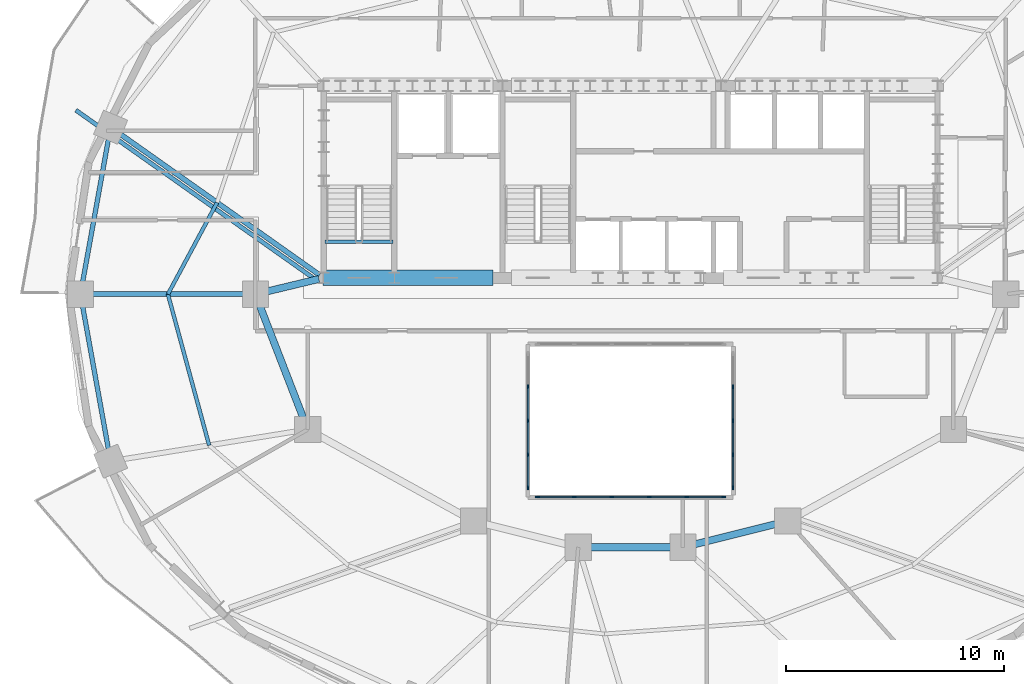
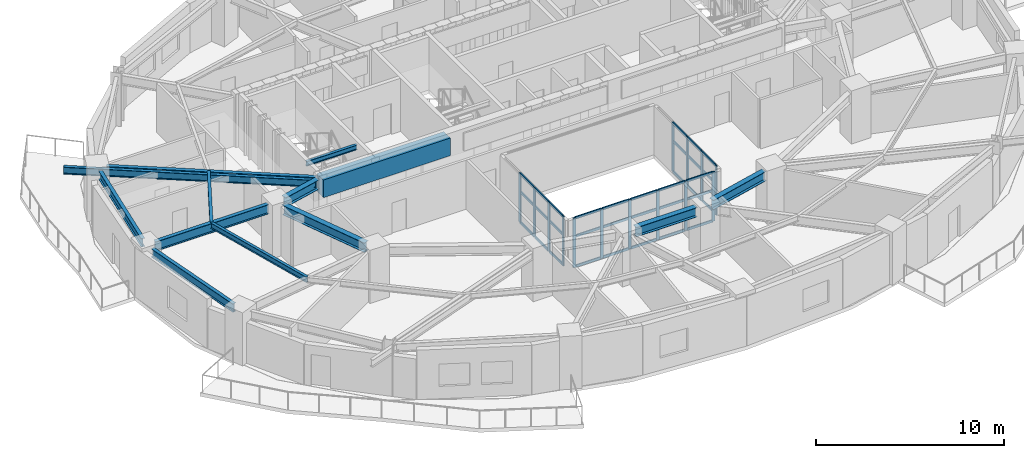
# One storey, part 2 of 13: 47 members, 13 beams, 3 elements without a shape of their own.
"""IFC4 building model written with IfcOpenShell, lengths in metres."""

from ifc_helpers import new_model, si_unit, direction, frame, origin, origin_2d, place, context, subcontext, project, spatial, rectangle, i_section, extrude, material, material_profile, profile_set, type_object, element, aggregate, save


model = new_model("IFC4")

# Units and contexts
model_context = context("Model", 3, precision=1e-05, world=origin(), true_north=direction((0.0, 1.0)))
body_context = subcontext(model_context, "Body", "Model", "MODEL_VIEW")
ifc_project = project(units=[si_unit("LENGTHUNIT", "METRE"), si_unit("AREAUNIT", "SQUARE_METRE"), si_unit("VOLUMEUNIT", "CUBIC_METRE"), si_unit("PLANEANGLEUNIT", "RADIAN"), si_unit("MASSUNIT", "GRAM", prefix="KILO")], contexts=[model_context])

# Site, building, storey
site_placement = place(None, origin())
site = spatial("IfcSite", under=ifc_project, at=site_placement, CompositionType="ELEMENT")
building_placement = place(site_placement, origin())
building = spatial("IfcBuilding", under=site, at=building_placement, Name="Haldorwick Loom Tower", CompositionType="ELEMENT")
storey_placement = place(building_placement, frame((0.0, 0.0, 139.10009765625)))
storey = spatial("IfcBuildingStorey", under=building, at=storey_placement, Name="L37", CompositionType="ELEMENT", Elevation=139.10009765625)

# Curtain wall, members
ifc_material_1 = material(Name="Thermally Broken Anodized Aluminium Curtain Wall Framing", Category="aluminium")
curtain_wall_type = type_object("IfcCurtainWallType", Name="ARC-CW-03", PredefinedType="NOTDEFINED", material=ifc_material_1)
curtain_wall_1_placement = place(storey_placement, origin())
curtain_wall_1 = element("IfcCurtainWall", 1, at=curtain_wall_1_placement, inside=storey, type_object=curtain_wall_type, Name="L37 Atrium Glazed Screen S", PredefinedType="NOTDEFINED")
ifc_material_profile_1 = material_profile(ifc_material_1, rectangle(XDim=0.06591796875, YDim=0.18505859375, at=origin_2d()), Name="ALU_MUL_66X185", Category="aluminium")
ifc_profile_set_1 = profile_set([ifc_material_profile_1], Name="Thermally Broken Anodized Aluminium Curtain Wall Framing")
member_type_1 = type_object("IfcMemberType", Name="ARC-CWM-03", PredefinedType="MULLION", material=ifc_profile_set_1)
member_1_placement = place(storey_placement, frame((40.26708984375, 16.699951171875, 0.0), z_axis=(0.0, 0.0, 1.0), x_axis=(0.0, -1.0, 0.0)))
member_1 = element("IfcMember", 2, at=member_1_placement, type_object=member_type_1, Name="CW-03 mullion 1", PredefinedType="MULLION", context=body_context, shape_type="SweptSolid", body=[
    extrude(rectangle(XDim=0.06591796875, YDim=0.18505859375, at=origin_2d()), origin(), (0.0, 0.0, 1.0), 3.2099609375),
])
member_2_placement = place(storey_placement, frame((38.580078125, 16.699951171875, 0.0), z_axis=(0.0, 0.0, 1.0), x_axis=(0.0, -1.0, 0.0)))
member_2 = element("IfcMember", 3, at=member_2_placement, type_object=member_type_1, Name="CW-03 mullion 2", PredefinedType="MULLION", context=body_context, shape_type="SweptSolid", body=[
    extrude(rectangle(XDim=0.06591796875, YDim=0.18505859375, at=origin_2d()), origin(), (0.0, 0.0, 1.0), 3.2099609375),
])
member_3_placement = place(storey_placement, frame((36.860107421875, 16.699951171875, 0.0), z_axis=(0.0, 0.0, 1.0), x_axis=(0.0, -1.0, 0.0)))
member_3 = element("IfcMember", 4, at=member_3_placement, type_object=member_type_1, Name="CW-03 mullion 3", PredefinedType="MULLION", context=body_context, shape_type="SweptSolid", body=[
    extrude(rectangle(XDim=0.06591796875, YDim=0.18505859375, at=origin_2d()), origin(), (0.0, 0.0, 1.0), 3.2099609375),
])
member_4_placement = place(storey_placement, frame((35.139892578125, 16.699951171875, 0.0), z_axis=(0.0, 0.0, 1.0), x_axis=(0.0, -1.0, 0.0)))
member_4 = element("IfcMember", 5, at=member_4_placement, type_object=member_type_1, Name="CW-03 mullion 4", PredefinedType="MULLION", context=body_context, shape_type="SweptSolid", body=[
    extrude(rectangle(XDim=0.06591796875, YDim=0.18505859375, at=origin_2d()), origin(), (0.0, 0.0, 1.0), 3.2099609375),
])
member_5_placement = place(storey_placement, frame((33.419921875, 16.699951171875, 0.0), z_axis=(0.0, 0.0, 1.0), x_axis=(0.0, -1.0, 0.0)))
member_5 = element("IfcMember", 6, at=member_5_placement, type_object=member_type_1, Name="CW-03 mullion 5", PredefinedType="MULLION", context=body_context, shape_type="SweptSolid", body=[
    extrude(rectangle(XDim=0.06591796875, YDim=0.18505859375, at=origin_2d()), origin(), (0.0, 0.0, 1.0), 3.2099609375),
])
member_6_placement = place(storey_placement, frame((31.73291015625, 16.699951171875, 0.0), z_axis=(0.0, 0.0, 1.0), x_axis=(0.0, -1.0, 0.0)))
member_6 = element("IfcMember", 7, at=member_6_placement, type_object=member_type_1, Name="CW-03 mullion 6", PredefinedType="MULLION", context=body_context, shape_type="SweptSolid", body=[
    extrude(rectangle(XDim=0.06591796875, YDim=0.18505859375, at=origin_2d()), origin(), (0.0, 0.0, 1.0), 3.2099609375),
])

curtain_wall_2_placement = place(storey_placement, origin())
curtain_wall_2 = element("IfcCurtainWall", 8, at=curtain_wall_2_placement, inside=storey, type_object=curtain_wall_type, Name="L37 Atrium Glazed Screen W", PredefinedType="NOTDEFINED")
member_7_placement = place(storey_placement, frame((31.300048828125, 17.133056640625, 0.0), z_axis=(0.0, 0.0, 1.0), x_axis=(-1.0, 0.0, 0.0)))
member_7 = element("IfcMember", 9, at=member_7_placement, type_object=member_type_1, Name="CW-03 mullion 1", PredefinedType="MULLION", context=body_context, shape_type="SweptSolid", body=[
    extrude(rectangle(XDim=0.06591796875, YDim=0.18505859375, at=origin_2d()), origin(), (0.0, 0.0, 1.0), 3.2099609375),
])
member_8_placement = place(storey_placement, frame((31.300048828125, 18.64990234375, 0.0), z_axis=(0.0, 0.0, 1.0), x_axis=(-1.0, 0.0, 0.0)))
member_8 = element("IfcMember", 10, at=member_8_placement, type_object=member_type_1, Name="CW-03 mullion 2", PredefinedType="MULLION", context=body_context, shape_type="SweptSolid", body=[
    extrude(rectangle(XDim=0.06591796875, YDim=0.18505859375, at=origin_2d()), origin(), (0.0, 0.0, 1.0), 3.2099609375),
])
member_9_placement = place(storey_placement, frame((31.300048828125, 20.199951171875, 0.0), z_axis=(0.0, 0.0, 1.0), x_axis=(-1.0, 0.0, 0.0)))
member_9 = element("IfcMember", 11, at=member_9_placement, type_object=member_type_1, Name="CW-03 mullion 3", PredefinedType="MULLION", context=body_context, shape_type="SweptSolid", body=[
    extrude(rectangle(XDim=0.06591796875, YDim=0.18505859375, at=origin_2d()), origin(), (0.0, 0.0, 1.0), 3.2099609375),
])
member_10_placement = place(storey_placement, frame((31.300048828125, 21.75, 0.0), z_axis=(0.0, 0.0, 1.0), x_axis=(-1.0, 0.0, 0.0)))
member_10 = element("IfcMember", 12, at=member_10_placement, type_object=member_type_1, Name="CW-03 mullion 4", PredefinedType="MULLION", context=body_context, shape_type="SweptSolid", body=[
    extrude(rectangle(XDim=0.06591796875, YDim=0.18505859375, at=origin_2d()), origin(), (0.0, 0.0, 1.0), 3.2099609375),
])

curtain_wall_3_placement = place(storey_placement, origin())
curtain_wall_3 = element("IfcCurtainWall", 13, at=curtain_wall_3_placement, inside=storey, type_object=curtain_wall_type, Name="L37 Atrium Glazed Screen E", PredefinedType="NOTDEFINED")
member_11_placement = place(storey_placement, frame((40.699951171875, 21.75, 0.0), z_axis=(0.0, 0.0, 1.0), x_axis=(1.0, 0.0, 0.0)))
member_11 = element("IfcMember", 14, at=member_11_placement, type_object=member_type_1, Name="CW-03 mullion 2", PredefinedType="MULLION", context=body_context, shape_type="SweptSolid", body=[
    extrude(rectangle(XDim=0.06591796875, YDim=0.18505859375, at=origin_2d()), origin(), (0.0, 0.0, 1.0), 3.2099609375),
])
member_12_placement = place(storey_placement, frame((40.699951171875, 20.199951171875, 0.0), z_axis=(0.0, 0.0, 1.0), x_axis=(1.0, 0.0, 0.0)))
member_12 = element("IfcMember", 15, at=member_12_placement, type_object=member_type_1, Name="CW-03 mullion 3", PredefinedType="MULLION", context=body_context, shape_type="SweptSolid", body=[
    extrude(rectangle(XDim=0.06591796875, YDim=0.18505859375, at=origin_2d()), origin(), (0.0, 0.0, 1.0), 3.2099609375),
])
member_13_placement = place(storey_placement, frame((40.699951171875, 18.64990234375, 0.0), z_axis=(0.0, 0.0, 1.0), x_axis=(1.0, 0.0, 0.0)))
member_13 = element("IfcMember", 16, at=member_13_placement, type_object=member_type_1, Name="CW-03 mullion 4", PredefinedType="MULLION", context=body_context, shape_type="SweptSolid", body=[
    extrude(rectangle(XDim=0.06591796875, YDim=0.18505859375, at=origin_2d()), origin(), (0.0, 0.0, 1.0), 3.2099609375),
])
member_14_placement = place(storey_placement, frame((40.699951171875, 17.133056640625, 0.0), z_axis=(0.0, 0.0, 1.0), x_axis=(1.0, 0.0, 0.0)))
member_14 = element("IfcMember", 17, at=member_14_placement, type_object=member_type_1, Name="CW-03 mullion 5", PredefinedType="MULLION", context=body_context, shape_type="SweptSolid", body=[
    extrude(rectangle(XDim=0.06591796875, YDim=0.18505859375, at=origin_2d()), origin(), (0.0, 0.0, 1.0), 3.2099609375),
])

# Member
ifc_material_profile_2 = material_profile(ifc_material_1, rectangle(XDim=0.06591796875, YDim=0.1650390625, at=origin_2d()), Name="ALU_TRN_66X165", Category="aluminium")
ifc_profile_set_2 = profile_set([ifc_material_profile_2], Name="Thermally Broken Anodized Aluminium Curtain Wall Framing")
member_type_2 = type_object("IfcMemberType", Name="ARC-CWT-03", PredefinedType="USERDEFINED", material=ifc_profile_set_2)
member_15_placement = place(storey_placement, frame((40.23388671875, 16.699951171875, 0.032958984375), z_axis=(-1.0, 0.0, 0.0), x_axis=(0.0, -1.0, 0.0)))
member_15 = element("IfcMember", 18, at=member_15_placement, type_object=member_type_2, Name="CW-03 transom 1.1", ObjectType="TRANSOM", PredefinedType="USERDEFINED", context=body_context, shape_type="SweptSolid", body=[
    extrude(rectangle(XDim=0.06591796875, YDim=0.1650390625, at=origin_2d()), origin(), (0.0, 0.0, 1.0), 1.620849609375),
])

member_16_placement = place(storey_placement, frame((40.23388671875, 16.699951171875, 2.0), z_axis=(-1.0, 0.0, 0.0), x_axis=(0.0, -1.0, 0.0)))
member_16 = element("IfcMember", 19, at=member_16_placement, type_object=member_type_2, Name="CW-03 transom 1.2", ObjectType="TRANSOM", PredefinedType="USERDEFINED", context=body_context, shape_type="SweptSolid", body=[
    extrude(rectangle(XDim=0.06591796875, YDim=0.1650390625, at=origin_2d()), origin(), (0.0, 0.0, 1.0), 1.620849609375),
])

member_17_placement = place(storey_placement, frame((40.23388671875, 16.699951171875, 3.177001953125), z_axis=(-1.0, 0.0, 0.0), x_axis=(0.0, -1.0, 0.0)))
member_17 = element("IfcMember", 20, at=member_17_placement, type_object=member_type_2, Name="CW-03 transom 1.3", ObjectType="TRANSOM", PredefinedType="USERDEFINED", context=body_context, shape_type="SweptSolid", body=[
    extrude(rectangle(XDim=0.06591796875, YDim=0.1650390625, at=origin_2d()), origin(), (0.0, 0.0, 1.0), 1.620849609375),
])

member_18_placement = place(storey_placement, frame((38.547119140625, 16.699951171875, 0.032958984375), z_axis=(-1.0, 0.0, 0.0), x_axis=(0.0, -1.0, 0.0)))
member_18 = element("IfcMember", 21, at=member_18_placement, type_object=member_type_2, Name="CW-03 transom 2.1", ObjectType="TRANSOM", PredefinedType="USERDEFINED", context=body_context, shape_type="SweptSolid", body=[
    extrude(rectangle(XDim=0.06591796875, YDim=0.1650390625, at=origin_2d()), origin(), (0.0, 0.0, 1.0), 1.654052734375),
])

member_19_placement = place(storey_placement, frame((38.547119140625, 16.699951171875, 2.0), z_axis=(-1.0, 0.0, 0.0), x_axis=(0.0, -1.0, 0.0)))
member_19 = element("IfcMember", 22, at=member_19_placement, type_object=member_type_2, Name="CW-03 transom 2.2", ObjectType="TRANSOM", PredefinedType="USERDEFINED", context=body_context, shape_type="SweptSolid", body=[
    extrude(rectangle(XDim=0.06591796875, YDim=0.1650390625, at=origin_2d()), origin(), (0.0, 0.0, 1.0), 1.654052734375),
])

member_20_placement = place(storey_placement, frame((38.547119140625, 16.699951171875, 3.177001953125), z_axis=(-1.0, 0.0, 0.0), x_axis=(0.0, -1.0, 0.0)))
member_20 = element("IfcMember", 23, at=member_20_placement, type_object=member_type_2, Name="CW-03 transom 2.3", ObjectType="TRANSOM", PredefinedType="USERDEFINED", context=body_context, shape_type="SweptSolid", body=[
    extrude(rectangle(XDim=0.06591796875, YDim=0.1650390625, at=origin_2d()), origin(), (0.0, 0.0, 1.0), 1.654052734375),
])

member_21_placement = place(storey_placement, frame((36.826904296875, 16.699951171875, 0.032958984375), z_axis=(-1.0, 0.0, 0.0), x_axis=(0.0, -1.0, 0.0)))
member_21 = element("IfcMember", 24, at=member_21_placement, type_object=member_type_2, Name="CW-03 transom 3.1", ObjectType="TRANSOM", PredefinedType="USERDEFINED", context=body_context, shape_type="SweptSolid", body=[
    extrude(rectangle(XDim=0.06591796875, YDim=0.1650390625, at=origin_2d()), origin(), (0.0, 0.0, 1.0), 1.65380859375),
])

member_22_placement = place(storey_placement, frame((36.826904296875, 16.699951171875, 2.0), z_axis=(-1.0, 0.0, 0.0), x_axis=(0.0, -1.0, 0.0)))
member_22 = element("IfcMember", 25, at=member_22_placement, type_object=member_type_2, Name="CW-03 transom 3.2", ObjectType="TRANSOM", PredefinedType="USERDEFINED", context=body_context, shape_type="SweptSolid", body=[
    extrude(rectangle(XDim=0.06591796875, YDim=0.1650390625, at=origin_2d()), origin(), (0.0, 0.0, 1.0), 1.65380859375),
])

member_23_placement = place(storey_placement, frame((36.826904296875, 16.699951171875, 3.177001953125), z_axis=(-1.0, 0.0, 0.0), x_axis=(0.0, -1.0, 0.0)))
member_23 = element("IfcMember", 26, at=member_23_placement, type_object=member_type_2, Name="CW-03 transom 3.3", ObjectType="TRANSOM", PredefinedType="USERDEFINED", context=body_context, shape_type="SweptSolid", body=[
    extrude(rectangle(XDim=0.06591796875, YDim=0.1650390625, at=origin_2d()), origin(), (0.0, 0.0, 1.0), 1.65380859375),
])

member_24_placement = place(storey_placement, frame((35.10693359375, 16.699951171875, 0.032958984375), z_axis=(-1.0, 0.0, 0.0), x_axis=(0.0, -1.0, 0.0)))
member_24 = element("IfcMember", 27, at=member_24_placement, type_object=member_type_2, Name="CW-03 transom 4.1", ObjectType="TRANSOM", PredefinedType="USERDEFINED", context=body_context, shape_type="SweptSolid", body=[
    extrude(rectangle(XDim=0.06591796875, YDim=0.1650390625, at=origin_2d()), origin(), (0.0, 0.0, 1.0), 1.654052734375),
])

member_25_placement = place(storey_placement, frame((35.10693359375, 16.699951171875, 2.0), z_axis=(-1.0, 0.0, 0.0), x_axis=(0.0, -1.0, 0.0)))
member_25 = element("IfcMember", 28, at=member_25_placement, type_object=member_type_2, Name="CW-03 transom 4.2", ObjectType="TRANSOM", PredefinedType="USERDEFINED", context=body_context, shape_type="SweptSolid", body=[
    extrude(rectangle(XDim=0.06591796875, YDim=0.1650390625, at=origin_2d()), origin(), (0.0, 0.0, 1.0), 1.654052734375),
])

member_26_placement = place(storey_placement, frame((35.10693359375, 16.699951171875, 3.177001953125), z_axis=(-1.0, 0.0, 0.0), x_axis=(0.0, -1.0, 0.0)))
member_26 = element("IfcMember", 29, at=member_26_placement, type_object=member_type_2, Name="CW-03 transom 4.3", ObjectType="TRANSOM", PredefinedType="USERDEFINED", context=body_context, shape_type="SweptSolid", body=[
    extrude(rectangle(XDim=0.06591796875, YDim=0.1650390625, at=origin_2d()), origin(), (0.0, 0.0, 1.0), 1.654052734375),
])

member_27_placement = place(storey_placement, frame((33.386962890625, 16.699951171875, 0.032958984375), z_axis=(-1.0, 0.0, 0.0), x_axis=(0.0, -1.0, 0.0)))
member_27 = element("IfcMember", 30, at=member_27_placement, type_object=member_type_2, Name="CW-03 transom 5.1", ObjectType="TRANSOM", PredefinedType="USERDEFINED", context=body_context, shape_type="SweptSolid", body=[
    extrude(rectangle(XDim=0.06591796875, YDim=0.1650390625, at=origin_2d()), origin(), (0.0, 0.0, 1.0), 1.620849609375),
])

member_28_placement = place(storey_placement, frame((33.386962890625, 16.699951171875, 2.0), z_axis=(-1.0, 0.0, 0.0), x_axis=(0.0, -1.0, 0.0)))
member_28 = element("IfcMember", 31, at=member_28_placement, type_object=member_type_2, Name="CW-03 transom 5.2", ObjectType="TRANSOM", PredefinedType="USERDEFINED", context=body_context, shape_type="SweptSolid", body=[
    extrude(rectangle(XDim=0.06591796875, YDim=0.1650390625, at=origin_2d()), origin(), (0.0, 0.0, 1.0), 1.620849609375),
])

member_29_placement = place(storey_placement, frame((33.386962890625, 16.699951171875, 3.177001953125), z_axis=(-1.0, 0.0, 0.0), x_axis=(0.0, -1.0, 0.0)))
member_29 = element("IfcMember", 32, at=member_29_placement, type_object=member_type_2, Name="CW-03 transom 5.3", ObjectType="TRANSOM", PredefinedType="USERDEFINED", context=body_context, shape_type="SweptSolid", body=[
    extrude(rectangle(XDim=0.06591796875, YDim=0.1650390625, at=origin_2d()), origin(), (0.0, 0.0, 1.0), 1.620849609375),
])

aggregate(curtain_wall_1, [member_1, member_2, member_3, member_4, member_5, member_6, member_15, member_16, member_17, member_18, member_19, member_20, member_21, member_22, member_23, member_24, member_25, member_26, member_27, member_28, member_29])

member_30_placement = place(storey_placement, frame((31.300048828125, 17.166015625, 0.032958984375), z_axis=(0.0, 1.0, 0.0), x_axis=(-1.0, 0.0, 0.0)))
member_30 = element("IfcMember", 33, at=member_30_placement, type_object=member_type_2, Name="CW-03 transom 1.1", ObjectType="TRANSOM", PredefinedType="USERDEFINED", context=body_context, shape_type="SweptSolid", body=[
    extrude(rectangle(XDim=0.06591796875, YDim=0.1650390625, at=origin_2d()), origin(), (0.0, 0.0, 1.0), 1.450927734375),
])

member_31_placement = place(storey_placement, frame((31.300048828125, 17.166015625, 2.0), z_axis=(0.0, 1.0, 0.0), x_axis=(-1.0, 0.0, 0.0)))
member_31 = element("IfcMember", 34, at=member_31_placement, type_object=member_type_2, Name="CW-03 transom 1.2", ObjectType="TRANSOM", PredefinedType="USERDEFINED", context=body_context, shape_type="SweptSolid", body=[
    extrude(rectangle(XDim=0.06591796875, YDim=0.1650390625, at=origin_2d()), origin(), (0.0, 0.0, 1.0), 1.450927734375),
])

member_32_placement = place(storey_placement, frame((31.300048828125, 17.166015625, 3.177001953125), z_axis=(0.0, 1.0, 0.0), x_axis=(-1.0, 0.0, 0.0)))
member_32 = element("IfcMember", 35, at=member_32_placement, type_object=member_type_2, Name="CW-03 transom 1.3", ObjectType="TRANSOM", PredefinedType="USERDEFINED", context=body_context, shape_type="SweptSolid", body=[
    extrude(rectangle(XDim=0.06591796875, YDim=0.1650390625, at=origin_2d()), origin(), (0.0, 0.0, 1.0), 1.450927734375),
])

member_33_placement = place(storey_placement, frame((31.300048828125, 18.68310546875, 0.032958984375), z_axis=(0.0, 1.0, 0.0), x_axis=(-1.0, 0.0, 0.0)))
member_33 = element("IfcMember", 36, at=member_33_placement, type_object=member_type_2, Name="CW-03 transom 2.1", ObjectType="TRANSOM", PredefinedType="USERDEFINED", context=body_context, shape_type="SweptSolid", body=[
    extrude(rectangle(XDim=0.06591796875, YDim=0.1650390625, at=origin_2d()), origin(), (0.0, 0.0, 1.0), 1.48388671875),
])

member_34_placement = place(storey_placement, frame((31.300048828125, 18.68310546875, 2.0), z_axis=(0.0, 1.0, 0.0), x_axis=(-1.0, 0.0, 0.0)))
member_34 = element("IfcMember", 37, at=member_34_placement, type_object=member_type_2, Name="CW-03 transom 2.2", ObjectType="TRANSOM", PredefinedType="USERDEFINED", context=body_context, shape_type="SweptSolid", body=[
    extrude(rectangle(XDim=0.06591796875, YDim=0.1650390625, at=origin_2d()), origin(), (0.0, 0.0, 1.0), 1.48388671875),
])

member_35_placement = place(storey_placement, frame((31.300048828125, 18.68310546875, 3.177001953125), z_axis=(0.0, 1.0, 0.0), x_axis=(-1.0, 0.0, 0.0)))
member_35 = element("IfcMember", 38, at=member_35_placement, type_object=member_type_2, Name="CW-03 transom 2.3", ObjectType="TRANSOM", PredefinedType="USERDEFINED", context=body_context, shape_type="SweptSolid", body=[
    extrude(rectangle(XDim=0.06591796875, YDim=0.1650390625, at=origin_2d()), origin(), (0.0, 0.0, 1.0), 1.48388671875),
])

member_36_placement = place(storey_placement, frame((31.300048828125, 20.23291015625, 0.032958984375), z_axis=(0.0, 1.0, 0.0), x_axis=(-1.0, 0.0, 0.0)))
member_36 = element("IfcMember", 39, at=member_36_placement, type_object=member_type_2, Name="CW-03 transom 3.1", ObjectType="TRANSOM", PredefinedType="USERDEFINED", context=body_context, shape_type="SweptSolid", body=[
    extrude(rectangle(XDim=0.06591796875, YDim=0.1650390625, at=origin_2d()), origin(), (0.0, 0.0, 1.0), 1.484130859375),
])

member_37_placement = place(storey_placement, frame((31.300048828125, 20.23291015625, 2.0), z_axis=(0.0, 1.0, 0.0), x_axis=(-1.0, 0.0, 0.0)))
member_37 = element("IfcMember", 40, at=member_37_placement, type_object=member_type_2, Name="CW-03 transom 3.2", ObjectType="TRANSOM", PredefinedType="USERDEFINED", context=body_context, shape_type="SweptSolid", body=[
    extrude(rectangle(XDim=0.06591796875, YDim=0.1650390625, at=origin_2d()), origin(), (0.0, 0.0, 1.0), 1.484130859375),
])

member_38_placement = place(storey_placement, frame((31.300048828125, 20.23291015625, 3.177001953125), z_axis=(0.0, 1.0, 0.0), x_axis=(-1.0, 0.0, 0.0)))
member_38 = element("IfcMember", 41, at=member_38_placement, type_object=member_type_2, Name="CW-03 transom 3.3", ObjectType="TRANSOM", PredefinedType="USERDEFINED", context=body_context, shape_type="SweptSolid", body=[
    extrude(rectangle(XDim=0.06591796875, YDim=0.1650390625, at=origin_2d()), origin(), (0.0, 0.0, 1.0), 1.484130859375),
])

aggregate(curtain_wall_2, [member_7, member_8, member_9, member_10, member_30, member_31, member_32, member_33, member_34, member_35, member_36, member_37, member_38])

member_39_placement = place(storey_placement, frame((40.699951171875, 21.717041015625, 0.032958984375), z_axis=(0.0, -1.0, 0.0), x_axis=(1.0, 0.0, 0.0)))
member_39 = element("IfcMember", 42, at=member_39_placement, type_object=member_type_2, Name="CW-03 transom 2.1", ObjectType="TRANSOM", PredefinedType="USERDEFINED", context=body_context, shape_type="SweptSolid", body=[
    extrude(rectangle(XDim=0.06591796875, YDim=0.1650390625, at=origin_2d()), origin(), (0.0, 0.0, 1.0), 1.484130859375),
])

member_40_placement = place(storey_placement, frame((40.699951171875, 21.717041015625, 2.0), z_axis=(0.0, -1.0, 0.0), x_axis=(1.0, 0.0, 0.0)))
member_40 = element("IfcMember", 43, at=member_40_placement, type_object=member_type_2, Name="CW-03 transom 2.2", ObjectType="TRANSOM", PredefinedType="USERDEFINED", context=body_context, shape_type="SweptSolid", body=[
    extrude(rectangle(XDim=0.06591796875, YDim=0.1650390625, at=origin_2d()), origin(), (0.0, 0.0, 1.0), 1.484130859375),
])

member_41_placement = place(storey_placement, frame((40.699951171875, 21.717041015625, 3.177001953125), z_axis=(0.0, -1.0, 0.0), x_axis=(1.0, 0.0, 0.0)))
member_41 = element("IfcMember", 44, at=member_41_placement, type_object=member_type_2, Name="CW-03 transom 2.3", ObjectType="TRANSOM", PredefinedType="USERDEFINED", context=body_context, shape_type="SweptSolid", body=[
    extrude(rectangle(XDim=0.06591796875, YDim=0.1650390625, at=origin_2d()), origin(), (0.0, 0.0, 1.0), 1.484130859375),
])

member_42_placement = place(storey_placement, frame((40.699951171875, 20.1669921875, 0.032958984375), z_axis=(0.0, -1.0, 0.0), x_axis=(1.0, 0.0, 0.0)))
member_42 = element("IfcMember", 45, at=member_42_placement, type_object=member_type_2, Name="CW-03 transom 3.1", ObjectType="TRANSOM", PredefinedType="USERDEFINED", context=body_context, shape_type="SweptSolid", body=[
    extrude(rectangle(XDim=0.06591796875, YDim=0.1650390625, at=origin_2d()), origin(), (0.0, 0.0, 1.0), 1.48388671875),
])

member_43_placement = place(storey_placement, frame((40.699951171875, 20.1669921875, 2.0), z_axis=(0.0, -1.0, 0.0), x_axis=(1.0, 0.0, 0.0)))
member_43 = element("IfcMember", 46, at=member_43_placement, type_object=member_type_2, Name="CW-03 transom 3.2", ObjectType="TRANSOM", PredefinedType="USERDEFINED", context=body_context, shape_type="SweptSolid", body=[
    extrude(rectangle(XDim=0.06591796875, YDim=0.1650390625, at=origin_2d()), origin(), (0.0, 0.0, 1.0), 1.48388671875),
])

member_44_placement = place(storey_placement, frame((40.699951171875, 20.1669921875, 3.177001953125), z_axis=(0.0, -1.0, 0.0), x_axis=(1.0, 0.0, 0.0)))
member_44 = element("IfcMember", 47, at=member_44_placement, type_object=member_type_2, Name="CW-03 transom 3.3", ObjectType="TRANSOM", PredefinedType="USERDEFINED", context=body_context, shape_type="SweptSolid", body=[
    extrude(rectangle(XDim=0.06591796875, YDim=0.1650390625, at=origin_2d()), origin(), (0.0, 0.0, 1.0), 1.48388671875),
])

member_45_placement = place(storey_placement, frame((40.699951171875, 18.616943359375, 0.032958984375), z_axis=(0.0, -1.0, 0.0), x_axis=(1.0, 0.0, 0.0)))
member_45 = element("IfcMember", 48, at=member_45_placement, type_object=member_type_2, Name="CW-03 transom 4.1", ObjectType="TRANSOM", PredefinedType="USERDEFINED", context=body_context, shape_type="SweptSolid", body=[
    extrude(rectangle(XDim=0.06591796875, YDim=0.1650390625, at=origin_2d()), origin(), (0.0, 0.0, 1.0), 1.450927734375),
])

member_46_placement = place(storey_placement, frame((40.699951171875, 18.616943359375, 2.0), z_axis=(0.0, -1.0, 0.0), x_axis=(1.0, 0.0, 0.0)))
member_46 = element("IfcMember", 49, at=member_46_placement, type_object=member_type_2, Name="CW-03 transom 4.2", ObjectType="TRANSOM", PredefinedType="USERDEFINED", context=body_context, shape_type="SweptSolid", body=[
    extrude(rectangle(XDim=0.06591796875, YDim=0.1650390625, at=origin_2d()), origin(), (0.0, 0.0, 1.0), 1.450927734375),
])

member_47_placement = place(storey_placement, frame((40.699951171875, 18.616943359375, 3.177001953125), z_axis=(0.0, -1.0, 0.0), x_axis=(1.0, 0.0, 0.0)))
member_47 = element("IfcMember", 50, at=member_47_placement, type_object=member_type_2, Name="CW-03 transom 4.3", ObjectType="TRANSOM", PredefinedType="USERDEFINED", context=body_context, shape_type="SweptSolid", body=[
    extrude(rectangle(XDim=0.06591796875, YDim=0.1650390625, at=origin_2d()), origin(), (0.0, 0.0, 1.0), 1.450927734375),
])

aggregate(curtain_wall_3, [member_11, member_12, member_13, member_14, member_39, member_40, member_41, member_42, member_43, member_44, member_45, member_46, member_47])

# Beams
ifc_material_2 = material(Name="Steel CSA G40.21 350W", Category="steel")
ifc_material_profile_3 = material_profile(ifc_material_2, i_section(OverallWidth=0.193115234375, OverallDepth=0.466064453125, WebThickness=0.011474609375, FlangeThickness=0.01904296875, at=origin_2d()), Name="W460X97", Category="steel")
ifc_profile_set_3 = profile_set([ifc_material_profile_3], Name="Steel CSA G40.21 350W")
beam_type_1 = type_object("IfcBeamType", Name="STR-BM-BAL460", PredefinedType="BEAM", material=ifc_profile_set_3)
beam_1_placement = place(storey_placement, frame((21.584716796875, 26.651123046875, 2.976806640625), z_axis=(-0.816570288691, 0.577246016554, 0.0), x_axis=(-0.577246016554, -0.816570288691, 0.0)))
element("IfcBeam", 51, at=beam_1_placement, inside=storey, type_object=beam_type_1, Name="L37 Continuous Back-Spanned Balcony Beam 3", PredefinedType="BEAM", context=body_context, shape_type="SweptSolid", body=[
    extrude(i_section(OverallWidth=0.193115234375, OverallDepth=0.466064453125, WebThickness=0.011474609375, FlangeThickness=0.01904296875, at=origin_2d()), origin(), (0.0, 0.0, 1.0), 13.485107421875),
])
ifc_material_3 = material(Name="Concrete C60 (60 MPa)", Category="concrete")
ifc_material_profile_4 = material_profile(ifc_material_3, rectangle(XDim=0.699951171875, YDim=1.14990234375, at=origin_2d()), Name="RC700X1150", Category="concrete")
ifc_profile_set_4 = profile_set([ifc_material_profile_4], Name="Concrete C60 (60 MPa)")
beam_type_2 = type_object("IfcBeamType", Name="STR-BM-CB1150", PredefinedType="LINTEL", material=ifc_profile_set_4)
beam_2_placement = place(storey_placement, frame((21.89990234375, 26.75, 2.635009765625), z_axis=(1.0, 0.0, 0.0), x_axis=(0.0, 1.0, 0.0)))
element("IfcBeam", 52, at=beam_2_placement, inside=storey, type_object=beam_type_2, Name="L37 Core Coupling Beam CB-S1", PredefinedType="LINTEL", context=body_context, shape_type="SweptSolid", body=[
    extrude(rectangle(XDim=0.699951171875, YDim=1.14990234375, at=origin_2d()), origin(), (0.0, 0.0, 1.0), 7.800048828125),
])
ifc_material_profile_5 = material_profile(ifc_material_2, i_section(OverallWidth=0.172119140625, OverallDepth=0.35791015625, WebThickness=0.0078125, FlangeThickness=0.01318359375, at=origin_2d()), Name="W360X57", Category="steel")
ifc_profile_set_5 = profile_set([ifc_material_profile_5], Name="Steel CSA G40.21 350W")
beam_type_3 = type_object("IfcBeamType", Name="STR-BM-J360", PredefinedType="JOIST", material=ifc_profile_set_5)
beam_3_placement = place(storey_placement, frame((17.046875, 30.201904296875, 3.031005859375), z_axis=(-0.472930162238, -0.881099915813, 0.0), x_axis=(0.881099915813, -0.472930162238, 0.0)))
element("IfcBeam", 53, at=beam_3_placement, inside=storey, type_object=beam_type_3, Name="L37 Mid-Bay Secondary Joist 8", PredefinedType="JOIST", context=body_context, shape_type="SweptSolid", body=[
    extrude(i_section(OverallWidth=0.172119140625, OverallDepth=0.35791015625, WebThickness=0.0078125, FlangeThickness=0.01318359375, at=origin_2d()), origin(), (0.0, 0.0, 1.0), 4.76904296875),
])
beam_4_placement = place(storey_placement, frame((14.79150390625, 26.0, 3.031005859375), z_axis=(0.263272762578, -0.964721437766, 0.0), x_axis=(0.964721437766, 0.263272762578, 0.0)))
element("IfcBeam", 54, at=beam_4_placement, inside=storey, type_object=beam_type_3, Name="L37 Mid-Bay Secondary Joist 9", PredefinedType="JOIST", context=body_context, shape_type="SweptSolid", body=[
    extrude(i_section(OverallWidth=0.172119140625, OverallDepth=0.35791015625, WebThickness=0.0078125, FlangeThickness=0.01318359375, at=origin_2d()), origin(), (0.0, 0.0, 1.0), 7.180419921875),
])
ifc_material_profile_6 = material_profile(ifc_material_2, i_section(OverallWidth=0.2119140625, OverallDepth=0.5439453125, WebThickness=0.01318359375, FlangeThickness=0.021240234375, at=origin_2d()), Name="W530X123", Category="steel")
ifc_profile_set_6 = profile_set([ifc_material_profile_6], Name="Steel CSA G40.21 350W")
beam_type_4 = type_object("IfcBeamType", Name="STR-BM-SP530", PredefinedType="SPANDREL", material=ifc_profile_set_6)
for number, where, z_axis, x_axis, name in (
    (55, (12.071533203125, 33.14208984375, 2.93798828125), (-0.177558730702, -0.984110205796, 0.0), (0.984110205796, -0.177558730702, 0.0), "L37 Perimeter Spandrel 8"),
    (56, (10.875244140625, 25.48828125, 2.93798828125), (0.177558730702, -0.984110205796, 0.0), (0.984110205796, 0.177558730702, 0.0), "L37 Perimeter Spandrel 9"),
):
    element("IfcBeam", number, at=place(storey_placement, frame(where, z_axis=z_axis, x_axis=x_axis)), inside=storey, type_object=beam_type_4, Name=name, PredefinedType="SPANDREL", context=body_context, shape_type="SweptSolid", body=[
        extrude(i_section(OverallWidth=0.2119140625, OverallDepth=0.5439453125, WebThickness=0.01318359375, FlangeThickness=0.021240234375, at=origin_2d()), origin(), (0.0, 0.0, 1.0), 6.737548828125),
    ])
ifc_material_profile_7 = material_profile(ifc_material_2, i_section(OverallWidth=0.166015625, OverallDepth=0.31298828125, WebThickness=0.006591796875, FlangeThickness=0.01123046875, at=origin_2d()), Name="W310X45", Category="steel")
ifc_profile_set_7 = profile_set([ifc_material_profile_7], Name="Steel CSA G40.21 350W")
beam_type_5 = type_object("IfcBeamType", Name="STR-BM-STRM", PredefinedType="BEAM", material=ifc_profile_set_7)
beam_5_placement = place(storey_placement, frame((21.989990234375, 28.39990234375, 3.053466796875), z_axis=(1.0, 0.0, 0.0), x_axis=(0.0, 1.0, 0.0)))
element("IfcBeam", 57, at=beam_5_placement, inside=storey, type_object=beam_type_5, Name="L37 Stair ST-01 Landing Edge Trimmer", PredefinedType="BEAM", context=body_context, shape_type="SweptSolid", body=[
    extrude(i_section(OverallWidth=0.166015625, OverallDepth=0.31298828125, WebThickness=0.006591796875, FlangeThickness=0.01123046875, at=origin_2d()), origin(), (0.0, 0.0, 1.0), 3.1201171875),
])
ifc_material_profile_8 = material_profile(ifc_material_2, i_section(OverallWidth=0.324951171875, OverallDepth=0.615966796875, WebThickness=0.013916015625, FlangeThickness=0.021484375, at=origin_2d()), Name="W610X174", Category="steel")
ifc_profile_set_8 = profile_set([ifc_material_profile_8], Name="Steel CSA G40.21 350W")
beam_type_6 = type_object("IfcBeamType", Name="STR-BM-W610A", PredefinedType="BEAM", material=ifc_profile_set_8)
beam_6_placement = place(storey_placement, frame((42.695556640625, 15.473876953125, 2.90185546875), z_axis=(-0.970142500145, -0.242535625036, 0.0), x_axis=(0.242535625036, -0.970142500145, 0.0)))
element("IfcBeam", 58, at=beam_6_placement, inside=storey, type_object=beam_type_6, Name="L37 Inner Ring Girder 4", PredefinedType="BEAM", context=body_context, shape_type="SweptSolid", body=[
    extrude(i_section(OverallWidth=0.324951171875, OverallDepth=0.615966796875, WebThickness=0.013916015625, FlangeThickness=0.021484375, at=origin_2d()), origin(), (0.0, 0.0, 1.0), 3.90771484375),
])
beam_7_placement = place(storey_placement, frame((37.8798828125, 14.39990234375, 2.90185546875), z_axis=(-1.0, 0.0, 0.0), x_axis=(0.0, -1.0, 0.0)))
element("IfcBeam", 59, at=beam_7_placement, inside=storey, type_object=beam_type_6, Name="L37 Inner Ring Girder 5", PredefinedType="BEAM", context=body_context, shape_type="SweptSolid", body=[
    extrude(i_section(OverallWidth=0.324951171875, OverallDepth=0.615966796875, WebThickness=0.013916015625, FlangeThickness=0.021484375, at=origin_2d()), origin(), (0.0, 0.0, 1.0), 3.759765625),
])
beam_8_placement = place(storey_placement, frame((21.01220703125, 20.284912109375, 2.90185546875), z_axis=(-0.360964792353, 0.93257944363, 0.0), x_axis=(-0.93257944363, -0.360964792353, 0.0)))
element("IfcBeam", 60, at=beam_8_placement, inside=storey, type_object=beam_type_6, Name="L37 Inner Ring Girder 8", PredefinedType="BEAM", context=body_context, shape_type="SweptSolid", body=[
    extrude(i_section(OverallWidth=0.324951171875, OverallDepth=0.615966796875, WebThickness=0.013916015625, FlangeThickness=0.021484375, at=origin_2d()), origin(), (0.0, 0.0, 1.0), 5.6083984375),
])
beam_9_placement = place(storey_placement, frame((19.3056640625, 26.12109375, 2.90185546875), z_axis=(0.97247055837, 0.233025777764, 0.0), x_axis=(-0.233025777764, 0.97247055837, 0.0)))
element("IfcBeam", 61, at=beam_9_placement, inside=storey, type_object=beam_type_6, Name="L37 Inner Ring Girder 9", PredefinedType="BEAM", context=body_context, shape_type="SweptSolid", body=[
    extrude(i_section(OverallWidth=0.324951171875, OverallDepth=0.615966796875, WebThickness=0.013916015625, FlangeThickness=0.021484375, at=origin_2d()), origin(), (0.0, 0.0, 1.0), 2.4736328125),
])
ifc_material_profile_9 = material_profile(ifc_material_2, i_section(OverallWidth=0.22998046875, OverallDepth=0.616943359375, WebThickness=0.01318359375, FlangeThickness=0.022216796875, at=origin_2d()), Name="W610X140", Category="steel")
ifc_profile_set_9 = profile_set([ifc_material_profile_9], Name="Steel CSA G40.21 350W")
beam_type_7 = type_object("IfcBeamType", Name="STR-BM-W610B", PredefinedType="BEAM", material=ifc_profile_set_9)
beam_10_placement = place(storey_placement, frame((21.746337890625, 26.8798828125, 2.9013671875), z_axis=(-0.816581567299, 0.577230061542, 0.0), x_axis=(-0.577230061542, -0.816581567299, 0.0)))
element("IfcBeam", 62, at=beam_10_placement, inside=storey, type_object=beam_type_7, Name="L37 Radial Floor Girder 8", PredefinedType="BEAM", context=body_context, shape_type="SweptSolid", body=[
    extrude(i_section(OverallWidth=0.22998046875, OverallDepth=0.616943359375, WebThickness=0.01318359375, FlangeThickness=0.022216796875, at=origin_2d()), origin(), (0.0, 0.0, 1.0), 11.215087890625),
])
beam_11_placement = place(storey_placement, frame((18.280029296875, 26.0, 2.9013671875), z_axis=(-1.0, 0.0, 0.0), x_axis=(0.0, -1.0, 0.0)))
element("IfcBeam", 63, at=beam_11_placement, inside=storey, type_object=beam_type_7, Name="L37 Radial Floor Girder 9", PredefinedType="BEAM", context=body_context, shape_type="SweptSolid", body=[
    extrude(i_section(OverallWidth=0.22998046875, OverallDepth=0.616943359375, WebThickness=0.01318359375, FlangeThickness=0.022216796875, at=origin_2d()), origin(), (0.0, 0.0, 1.0), 6.97705078125),
])

save(model, "model.ifc")
